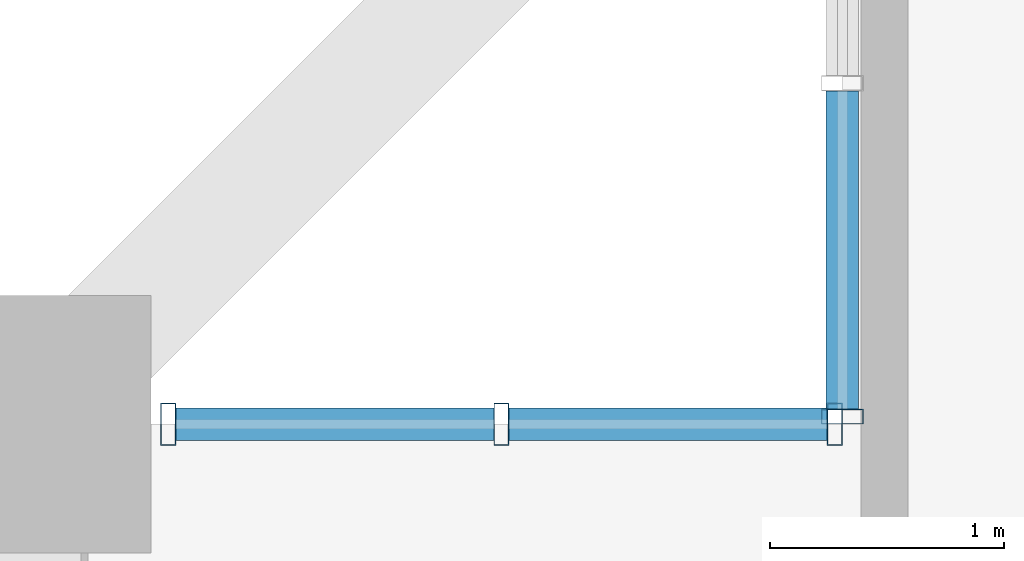
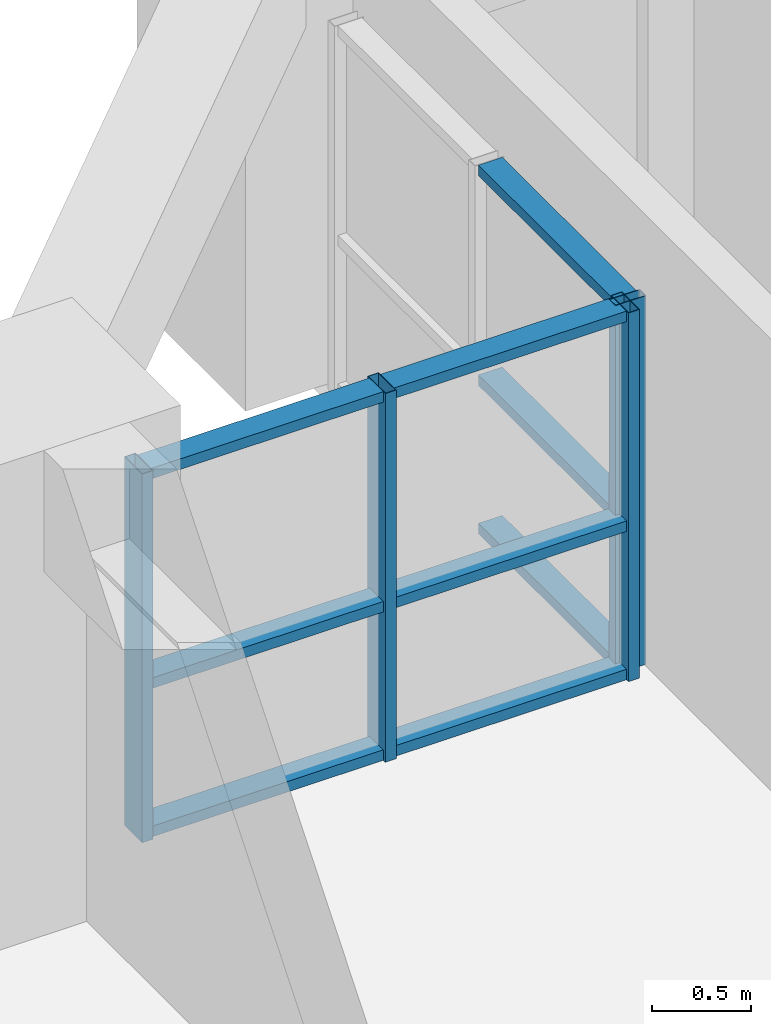
# One storey, part 6 of 27: 13 members, 2 elements without a shape of their own.
"""IFC4 building model written with IfcOpenShell, lengths in metres."""

from ifc_helpers import new_model, si_unit, direction, frame, origin, origin_2d, place, context, subcontext, project, spatial, hollow_rectangle, extrude, source, transform, mapped, material, layer, layer_set, material_profile, profile_set, type_object, element, aggregate, save


model = new_model("IFC4")

# Units and contexts
model_context = context("Model", 3, precision=1e-05, world=origin(), true_north=direction((0.0, 1.0)))
body_context = subcontext(model_context, "Body", "Model", "MODEL_VIEW")
ifc_project = project(units=[si_unit("LENGTHUNIT", "METRE"), si_unit("AREAUNIT", "SQUARE_METRE"), si_unit("VOLUMEUNIT", "CUBIC_METRE"), si_unit("PLANEANGLEUNIT", "RADIAN"), si_unit("MASSUNIT", "GRAM", prefix="KILO")], contexts=[model_context])

# Site, building, storey
site_placement = place(None, origin())
site = spatial("IfcSite", under=ifc_project, at=site_placement, CompositionType="ELEMENT")
building_placement = place(site_placement, origin())
building = spatial("IfcBuilding", under=site, at=building_placement, Name="Saelheon Loggia Tower", CompositionType="ELEMENT")
storey_placement = place(building_placement, frame((0.0, 0.0, 52.39990234375)))
storey = spatial("IfcBuildingStorey", under=building, at=storey_placement, Name="L16", CompositionType="ELEMENT", Elevation=52.39990234375)

# Curtain wall, member
ifc_material_1 = material(Name="Thermal-Break Aluminium and Triple Low-E Glass", Category="aluminium")
ifc_layer = layer(ifc_material_1, 0.159912109375)
ifc_layer_set = layer_set([ifc_layer], Name="Thermal-Break Aluminium and Triple Low-E Glass")
curtain_wall_type = type_object("IfcCurtainWallType", Name="CW_TowerLoggiaLow", PredefinedType="NOTDEFINED", material=ifc_layer_set)
curtain_wall_1_placement = place(storey_placement, origin())
curtain_wall_1 = element("IfcCurtainWall", 1, at=curtain_wall_1_placement, inside=storey, type_object=curtain_wall_type, Name="L16 Corner Notch Glazing NW1", PredefinedType="NOTDEFINED")
ifc_material_2 = material(Name="Anodised Aluminium 6063-T6", Category="aluminium")
ifc_material_profile_1 = material_profile(ifc_material_2, hollow_rectangle(XDim=0.06494140625, YDim=0.179931640625, WallThickness=0.00390625, at=origin_2d()), Name="RHS-180x65x4")
ifc_profile_set_1 = profile_set([ifc_material_profile_1], Name="Anodised Aluminium 6063-T6")
member_type_1 = type_object("IfcMemberType", Name="CW_TowerLoggiaLow_Mullion", PredefinedType="MULLION", material=ifc_profile_set_1)
shared_shape_1 = source(origin(), body_context, "Body", "SweptSolid", [
    extrude(hollow_rectangle(XDim=0.06494140625, YDim=0.179931640625, WallThickness=0.00390625, at=origin_2d()), origin(), (0.0, 0.0, 1.0), 2.280029296875),
])
member_1_placement = place(storey_placement, frame((15.5, 47.532470703125, 0.0), z_axis=(0.0, 0.0, 1.0), x_axis=(0.0, 1.0, 0.0)))
member_1 = element("IfcMember", 2, at=member_1_placement, type_object=member_type_1, Name="CW3 mullion 1", PredefinedType="MULLION", context=body_context, shape_type="MappedRepresentation", body=[
    mapped(shared_shape_1, transform((0.0, 0.0, 0.0), scale=1.0)),
])

# Curtain wall, members
curtain_wall_2_placement = place(storey_placement, origin())
curtain_wall_2 = element("IfcCurtainWall", 3, at=curtain_wall_2_placement, inside=storey, type_object=curtain_wall_type, Name="L16 Corner Notch Glazing NW2", PredefinedType="NOTDEFINED")
member_2_placement = place(storey_placement, frame((12.62255859375, 47.5, 0.0), z_axis=(0.0, 0.0, 1.0), x_axis=(1.0, 0.0, 0.0)))
member_2 = element("IfcMember", 4, at=member_2_placement, type_object=member_type_1, Name="CW3 mullion 1", PredefinedType="MULLION", context=body_context, shape_type="MappedRepresentation", body=[
    mapped(shared_shape_1, transform((0.0, 0.0, 0.0), scale=1.0)),
])
member_3_placement = place(storey_placement, frame((14.044921875, 47.5, 0.0), z_axis=(0.0, 0.0, 1.0), x_axis=(1.0, 0.0, 0.0)))
member_3 = element("IfcMember", 5, at=member_3_placement, type_object=member_type_1, Name="CW3 mullion 2", PredefinedType="MULLION", context=body_context, shape_type="MappedRepresentation", body=[
    mapped(shared_shape_1, transform((0.0, 0.0, 0.0), scale=1.0)),
])
member_4_placement = place(storey_placement, frame((15.467529296875, 47.5, 0.0), z_axis=(0.0, 0.0, 1.0), x_axis=(1.0, 0.0, 0.0)))
member_4 = element("IfcMember", 6, at=member_4_placement, type_object=member_type_1, Name="CW3 mullion 3", PredefinedType="MULLION", context=body_context, shape_type="MappedRepresentation", body=[
    mapped(shared_shape_1, transform((0.0, 0.0, 0.0), scale=1.0)),
])
ifc_material_profile_2 = material_profile(ifc_material_2, hollow_rectangle(XDim=0.06494140625, YDim=0.139892578125, WallThickness=0.00390625, at=origin_2d()), Name="RHS-140x65x4")
ifc_profile_set_2 = profile_set([ifc_material_profile_2], Name="Anodised Aluminium 6063-T6")
member_type_2 = type_object("IfcMemberType", Name="CW_TowerLoggiaLow_Transom", PredefinedType="USERDEFINED", material=ifc_profile_set_2)
shared_shape_2 = source(origin(), body_context, "Body", "SweptSolid", [
    extrude(hollow_rectangle(XDim=0.06494140625, YDim=0.139892578125, WallThickness=0.00390625, at=origin_2d()), origin(), (0.0, 0.0, 1.0), 1.357421875),
])
member_5_placement = place(storey_placement, frame((12.655029296875, 47.5, 0.03271484375), z_axis=(1.0, 0.0, 0.0), x_axis=(0.0, 0.0, 1.0)))
member_5 = element("IfcMember", 7, at=member_5_placement, type_object=member_type_2, Name="CW3 transom 1.1", ObjectType="TRANSOM", PredefinedType="USERDEFINED", context=body_context, shape_type="MappedRepresentation", body=[
    mapped(shared_shape_2, transform((0.0, 0.0, 0.0), scale=1.0)),
])
member_6_placement = place(storey_placement, frame((12.655029296875, 47.5, 0.9501953125), z_axis=(1.0, 0.0, 0.0), x_axis=(0.0, 0.0, 1.0)))
member_6 = element("IfcMember", 8, at=member_6_placement, type_object=member_type_2, Name="CW3 transom 1.2", ObjectType="TRANSOM", PredefinedType="USERDEFINED", context=body_context, shape_type="MappedRepresentation", body=[
    mapped(shared_shape_2, transform((0.0, 0.0, 0.0), scale=1.0)),
])
member_7_placement = place(storey_placement, frame((12.655029296875, 47.5, 2.24755859375), z_axis=(1.0, 0.0, 0.0), x_axis=(0.0, 0.0, 1.0)))
member_7 = element("IfcMember", 9, at=member_7_placement, type_object=member_type_2, Name="CW3 transom 1.3", ObjectType="TRANSOM", PredefinedType="USERDEFINED", context=body_context, shape_type="MappedRepresentation", body=[
    mapped(shared_shape_2, transform((0.0, 0.0, 0.0), scale=1.0)),
])

# Member
shared_shape_3 = source(origin(), body_context, "Body", "SweptSolid", [
    extrude(hollow_rectangle(XDim=0.06494140625, YDim=0.139892578125, WallThickness=0.00390625, at=origin_2d()), origin(), (0.0, 0.0, 1.0), 1.357666015625),
])
member_8_placement = place(storey_placement, frame((15.5, 47.56494140625, 0.03271484375), z_axis=(0.0, 1.0, 0.0), x_axis=(0.0, 0.0, 1.0)))
member_8 = element("IfcMember", 10, at=member_8_placement, type_object=member_type_2, Name="CW3 transom 1.1", ObjectType="TRANSOM", PredefinedType="USERDEFINED", context=body_context, shape_type="MappedRepresentation", body=[
    mapped(shared_shape_3, transform((0.0, 0.0, 0.0), scale=1.0)),
])

member_9_placement = place(storey_placement, frame((15.5, 47.56494140625, 0.9501953125), z_axis=(0.0, 1.0, 0.0), x_axis=(0.0, 0.0, 1.0)))
member_9 = element("IfcMember", 11, at=member_9_placement, type_object=member_type_2, Name="CW3 transom 1.2", ObjectType="TRANSOM", PredefinedType="USERDEFINED", context=body_context, shape_type="MappedRepresentation", body=[
    mapped(shared_shape_3, transform((0.0, 0.0, 0.0), scale=1.0)),
])

member_10_placement = place(storey_placement, frame((15.5, 47.56494140625, 2.24755859375), z_axis=(0.0, 1.0, 0.0), x_axis=(0.0, 0.0, 1.0)))
member_10 = element("IfcMember", 12, at=member_10_placement, type_object=member_type_2, Name="CW3 transom 1.3", ObjectType="TRANSOM", PredefinedType="USERDEFINED", context=body_context, shape_type="MappedRepresentation", body=[
    mapped(shared_shape_3, transform((0.0, 0.0, 0.0), scale=1.0)),
])

aggregate(curtain_wall_1, [member_1, member_8, member_9, member_10])

member_11_placement = place(storey_placement, frame((14.077392578125, 47.5, 0.03271484375), z_axis=(1.0, 0.0, 0.0), x_axis=(0.0, 0.0, 1.0)))
member_11 = element("IfcMember", 13, at=member_11_placement, type_object=member_type_2, Name="CW3 transom 2.1", ObjectType="TRANSOM", PredefinedType="USERDEFINED", context=body_context, shape_type="MappedRepresentation", body=[
    mapped(shared_shape_3, transform((0.0, 0.0, 0.0), scale=1.0)),
])

member_12_placement = place(storey_placement, frame((14.077392578125, 47.5, 0.9501953125), z_axis=(1.0, 0.0, 0.0), x_axis=(0.0, 0.0, 1.0)))
member_12 = element("IfcMember", 14, at=member_12_placement, type_object=member_type_2, Name="CW3 transom 2.2", ObjectType="TRANSOM", PredefinedType="USERDEFINED", context=body_context, shape_type="MappedRepresentation", body=[
    mapped(shared_shape_3, transform((0.0, 0.0, 0.0), scale=1.0)),
])

member_13_placement = place(storey_placement, frame((14.077392578125, 47.5, 2.24755859375), z_axis=(1.0, 0.0, 0.0), x_axis=(0.0, 0.0, 1.0)))
member_13 = element("IfcMember", 15, at=member_13_placement, type_object=member_type_2, Name="CW3 transom 2.3", ObjectType="TRANSOM", PredefinedType="USERDEFINED", context=body_context, shape_type="MappedRepresentation", body=[
    mapped(shared_shape_3, transform((0.0, 0.0, 0.0), scale=1.0)),
])

aggregate(curtain_wall_2, [member_2, member_3, member_4, member_5, member_6, member_7, member_11, member_12, member_13])

save(model, "model.ifc")
